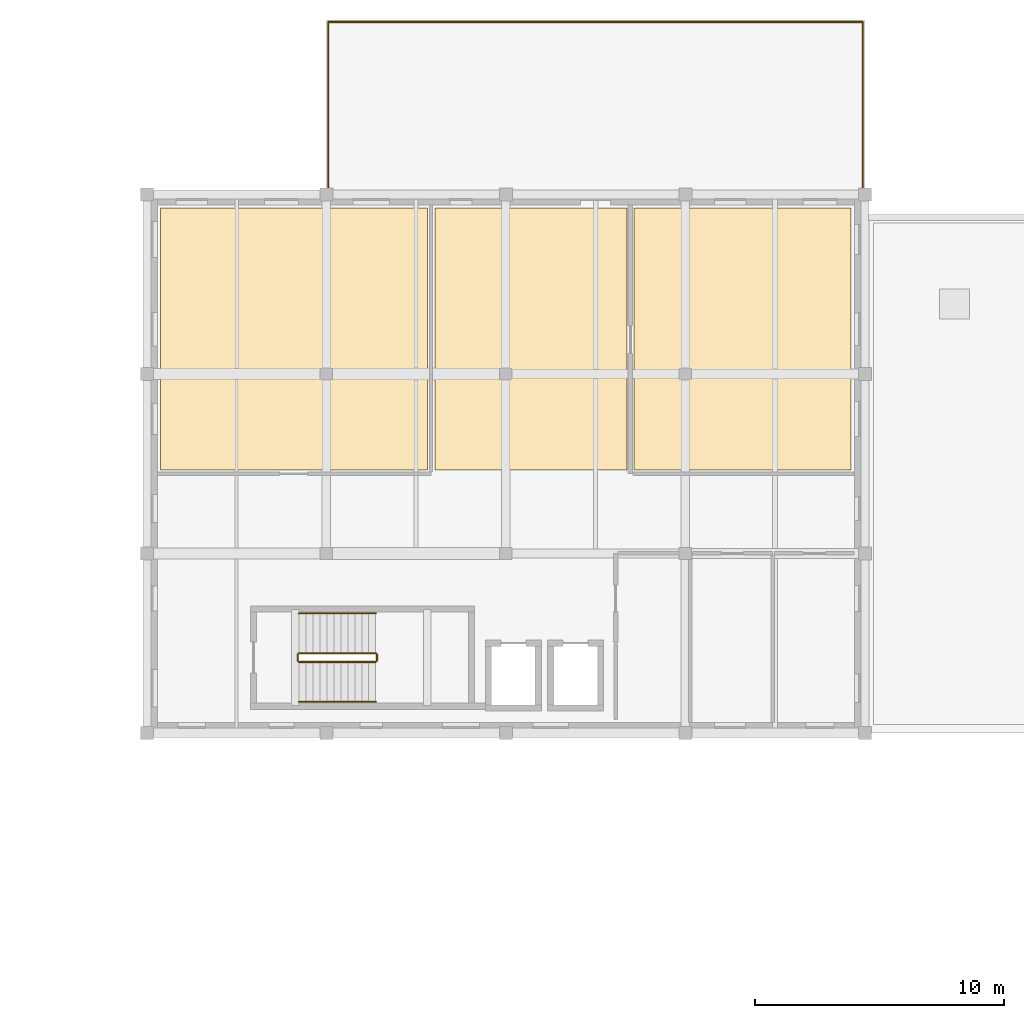
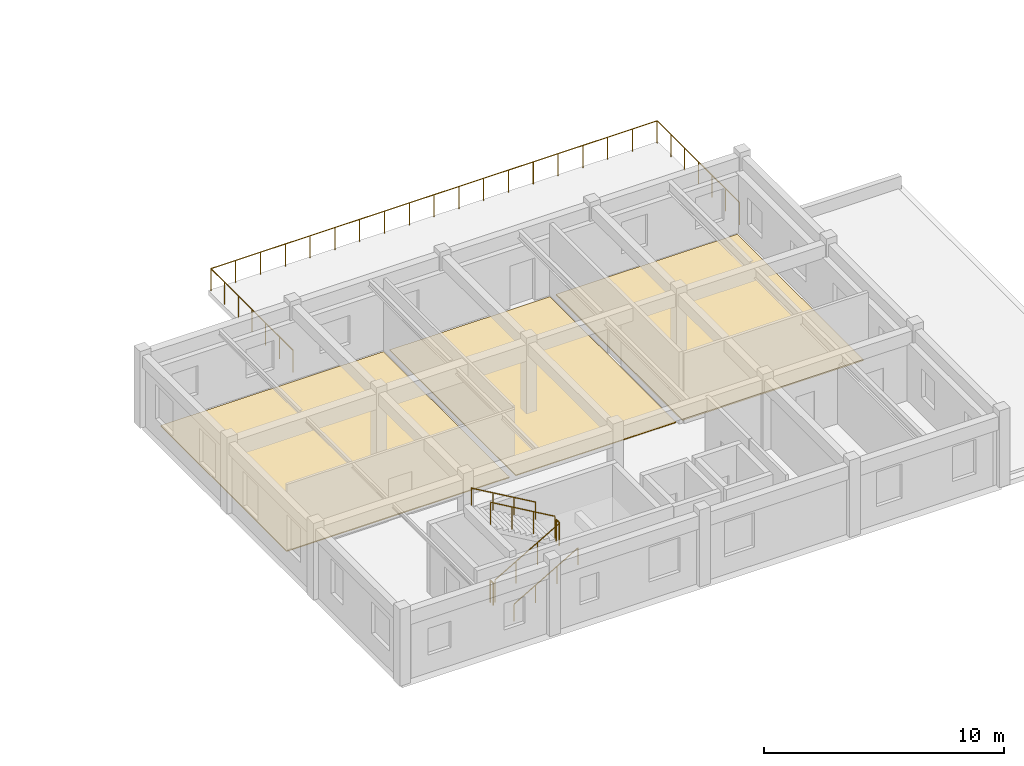
# One storey, part 18 of 20: 9 railings, 3 coverings.
"""IFC4 building model written with IfcOpenShell, lengths in metres."""

from ifc_helpers import new_model, si_unit, direction, frame, origin, origin_2d, place, context, subcontext, project, spatial, polyline, circle, outline, extrude, material, layer, layer_set, type_object, element, save


model = new_model("IFC4")

# Units and contexts
model_context = context("Model", 3, precision=1e-05, world=origin(), true_north=direction((0.0, 1.0)))
body_context = subcontext(model_context, "Body", "Model", "MODEL_VIEW")
ifc_project = project(units=[si_unit("LENGTHUNIT", "METRE"), si_unit("AREAUNIT", "SQUARE_METRE"), si_unit("VOLUMEUNIT", "CUBIC_METRE"), si_unit("PLANEANGLEUNIT", "RADIAN"), si_unit("MASSUNIT", "GRAM", prefix="KILO")], contexts=[model_context])

# Site, building, storey
site_placement = place(None, origin())
site = spatial("IfcSite", under=ifc_project, at=site_placement, CompositionType="ELEMENT")
building_placement = place(site_placement, origin())
building = spatial("IfcBuilding", under=site, at=building_placement, Name="Bramveld Media Centre", CompositionType="ELEMENT")
storey_placement = place(building_placement, frame((0.0, 0.0, 18.0)))
storey = spatial("IfcBuildingStorey", under=building, at=storey_placement, Name="L04", CompositionType="ELEMENT", Elevation=18.0)

# Coverings
ifc_material_1 = material(Name="Floating acoustic screed with smoked European oak studio flooring")
ifc_layer_1 = layer(ifc_material_1, 0.06494140625)
ifc_layer_set_1 = layer_set([ifc_layer_1], Name="Floating acoustic screed with smoked European oak studio flooring")
covering_type_1 = type_object("IfcCoveringType", Name="COV-FLOOR-01", PredefinedType="FLOORING", material=ifc_layer_set_1)
covering_1_placement = place(storey_placement, origin())
element("IfcCovering", 1, at=covering_1_placement, inside=storey, type_object=covering_type_1, Name="Exhibition Media Server & Lighting Studio finish flooring", PredefinedType="FLOORING", context=body_context, shape_type="SweptSolid", body=[
    extrude(outline(polyline([(85.14990234375, 100.949951171875), (93.85009765625, 100.949951171875), (93.85009765625, 111.449951171875), (85.14990234375, 111.449951171875), (85.14990234375, 100.949951171875)])), origin(), (0.0, 0.0, 1.0), 0.06494140625),
])
ifc_material_2 = material(Name="Honed Belgian bluestone (petit granit) public concourse flooring", Category="masonry")
ifc_layer_2 = layer(ifc_material_2, 0.050048828125)
ifc_layer_set_2 = layer_set([ifc_layer_2], Name="Honed Belgian bluestone (petit granit) public concourse flooring")
covering_type_2 = type_object("IfcCoveringType", Name="COV-FLOOR-02", PredefinedType="FLOORING", material=ifc_layer_set_2)
covering_2_placement = place(storey_placement, origin())
element("IfcCovering", 2, at=covering_2_placement, inside=storey, type_object=covering_type_2, Name="Curatorial Research & Design Office finish flooring", PredefinedType="FLOORING", context=body_context, shape_type="SweptSolid", body=[
    extrude(outline(polyline([(66.14990234375, 100.949951171875), (76.85009765625, 100.949951171875), (76.85009765625, 111.449951171875), (66.14990234375, 111.449951171875), (66.14990234375, 100.949951171875)])), origin(), (0.0, 0.0, 1.0), 0.050048828125),
])
ifc_material_3 = material(Name="Anti-static acoustic linoleum editing & vault flooring")
ifc_layer_3 = layer(ifc_material_3, 0.0400390625)
ifc_layer_set_3 = layer_set([ifc_layer_3], Name="Anti-static acoustic linoleum editing & vault flooring")
covering_type_3 = type_object("IfcCoveringType", Name="COV-FLOOR-03", PredefinedType="FLOORING", material=ifc_layer_set_3)
covering_3_placement = place(storey_placement, origin())
element("IfcCovering", 3, at=covering_3_placement, inside=storey, type_object=covering_type_3, Name="North Canal Viewing Circulation Lobby finish flooring", PredefinedType="FLOORING", context=body_context, shape_type="SweptSolid", body=[
    extrude(outline(polyline([(77.14990234375, 100.949951171875), (84.85009765625, 100.949951171875), (84.85009765625, 111.449951171875), (77.14990234375, 111.449951171875), (77.14990234375, 100.949951171875)])), origin(), (0.0, 0.0, 1.0), 0.0400390625),
])

# Railings
ifc_material_4 = material(Name="Painted galvanized steel stairwell guardrail", Category="steel")
railing_type_1 = type_object("IfcRailingType", Name="RAIL-STAIR-GUARD-1150", PredefinedType="GUARDRAIL", material=ifc_material_4)
railing_1_placement = place(storey_placement, frame((71.699951171875, 93.25, 0.16259765625)))
element("IfcRailing", 4, at=railing_1_placement, inside=storey, type_object=railing_type_1, Name="L04 ST-07 stair guard 1", PredefinedType="GUARDRAIL", context=body_context, shape_type="SweptSolid", body=[
    extrude(circle(Radius=0.02392578125, at=origin_2d()), frame((0.0, 0.0, 1.1259765625), z_axis=(0.864920483161, 0.0, 0.501908913857), x_axis=(0.0, 1.0, 0.0)), (0.0, 0.0, 1.0), 3.56103515625),
    extrude(circle(Radius=0.02099609375, at=origin_2d()), origin(), (0.0, 0.0, 1.0), 1.101806640625),
    extrude(circle(Radius=0.02099609375, at=origin_2d()), frame((1.026611328125, 0.0, 0.595703125)), (0.0, 0.0, 1.0), 1.101806640625),
    extrude(circle(Radius=0.02099609375, at=origin_2d()), frame((2.053466796875, 0.0, 1.191650390625)), (0.0, 0.0, 1.0), 1.101806640625),
    extrude(circle(Radius=0.02099609375, at=origin_2d()), frame((3.080078125, 0.0, 1.787353515625)), (0.0, 0.0, 1.0), 1.101806640625),
])
railing_2_placement = place(storey_placement, frame((74.830078125, 93.300048828125, 1.949951171875)))
element("IfcRailing", 5, at=railing_2_placement, inside=storey, type_object=railing_type_1, Name="L04 ST-07 stair guard 2", PredefinedType="GUARDRAIL", context=body_context, shape_type="SweptSolid", body=[
    extrude(circle(Radius=0.02392578125, at=origin_2d()), frame((0.0, 0.0, 1.1259765625), z_axis=(0.0, 1.0, 0.0), x_axis=(-1.0, 0.0, 0.0)), (0.0, 0.0, 1.0), 0.25),
    extrude(circle(Radius=0.02099609375, at=origin_2d()), origin(), (0.0, 0.0, 1.0), 1.101806640625),
    extrude(circle(Radius=0.02099609375, at=origin_2d()), frame((0.0, 0.25, 0.0)), (0.0, 0.0, 1.0), 1.101806640625),
])
railing_3_placement = place(storey_placement, frame((74.780029296875, 93.60009765625, 2.112548828125)))
element("IfcRailing", 6, at=railing_3_placement, inside=storey, type_object=railing_type_1, Name="L04 ST-07 stair guard 3", PredefinedType="GUARDRAIL", context=body_context, shape_type="SweptSolid", body=[
    extrude(circle(Radius=0.02392578125, at=origin_2d()), frame((0.0, 0.0, 1.1259765625), z_axis=(-0.864920483161, 0.0, 0.501908913857), x_axis=(0.0, -1.0, 0.0)), (0.0, 0.0, 1.0), 3.56103515625),
    extrude(circle(Radius=0.02099609375, at=origin_2d()), origin(), (0.0, 0.0, 1.0), 1.101806640625),
    extrude(circle(Radius=0.02099609375, at=origin_2d()), frame((-1.026611328125, 0.0, 0.595703125)), (0.0, 0.0, 1.0), 1.101806640625),
    extrude(circle(Radius=0.02099609375, at=origin_2d()), frame((-2.053466796875, 0.0, 1.191650390625)), (0.0, 0.0, 1.0), 1.101806640625),
    extrude(circle(Radius=0.02099609375, at=origin_2d()), frame((-3.080078125, 0.0, 1.787353515625)), (0.0, 0.0, 1.0), 1.101806640625),
])
railing_4_placement = place(storey_placement, frame((71.64990234375, 93.300048828125, 0.0)))
element("IfcRailing", 7, at=railing_4_placement, inside=storey, type_object=railing_type_1, Name="L04 ST-07 stair guard 4", PredefinedType="GUARDRAIL", context=body_context, shape_type="SweptSolid", body=[
    extrude(circle(Radius=0.02392578125, at=origin_2d()), frame((0.0, 0.0, 1.1259765625), z_axis=(0.0, 1.0, 0.0), x_axis=(-1.0, 0.0, 0.0)), (0.0, 0.0, 1.0), 0.25),
    extrude(circle(Radius=0.02099609375, at=origin_2d()), origin(), (0.0, 0.0, 1.0), 1.101806640625),
    extrude(circle(Radius=0.02099609375, at=origin_2d()), frame((0.0, 0.25, 0.0)), (0.0, 0.0, 1.0), 1.101806640625),
])
ifc_material_5 = material(Name="Brushed stainless steel tubular stair handrail", Category="steel")
railing_type_2 = type_object("IfcRailingType", Name="RAIL-STAIR-HAND-0920", PredefinedType="HANDRAIL", material=ifc_material_5)
railing_5_placement = place(storey_placement, frame((71.699951171875, 91.64990234375, 0.16259765625)))
element("IfcRailing", 8, at=railing_5_placement, inside=storey, type_object=railing_type_2, Name="L04 ST-07 stair handrail 1", PredefinedType="HANDRAIL", context=body_context, shape_type="SweptSolid", body=[
    extrude(circle(Radius=0.02392578125, at=origin_2d()), frame((0.0, 0.0, 0.8759765625), z_axis=(0.864920483161, 0.0, 0.501908913857), x_axis=(0.0, 1.0, 0.0)), (0.0, 0.0, 1.0), 3.56103515625),
    extrude(circle(Radius=0.02099609375, at=origin_2d()), origin(), (0.0, 0.0, 1.0), 0.851806640625),
    extrude(circle(Radius=0.02099609375, at=origin_2d()), frame((1.026611328125, 0.0, 0.595703125)), (0.0, 0.0, 1.0), 0.851806640625),
    extrude(circle(Radius=0.02099609375, at=origin_2d()), frame((2.053466796875, 0.0, 1.191650390625)), (0.0, 0.0, 1.0), 0.851806640625),
    extrude(circle(Radius=0.02099609375, at=origin_2d()), frame((3.080078125, 0.0, 1.787353515625)), (0.0, 0.0, 1.0), 0.851806640625),
])
railing_6_placement = place(storey_placement, frame((74.780029296875, 95.199951171875, 2.112548828125)))
element("IfcRailing", 9, at=railing_6_placement, inside=storey, type_object=railing_type_2, Name="L04 ST-07 stair handrail 2", PredefinedType="HANDRAIL", context=body_context, shape_type="SweptSolid", body=[
    extrude(circle(Radius=0.02392578125, at=origin_2d()), frame((0.0, 0.0, 0.8759765625), z_axis=(-0.864920483161, 0.0, 0.501908913857), x_axis=(0.0, -1.0, 0.0)), (0.0, 0.0, 1.0), 3.56103515625),
    extrude(circle(Radius=0.02099609375, at=origin_2d()), origin(), (0.0, 0.0, 1.0), 0.851806640625),
    extrude(circle(Radius=0.02099609375, at=origin_2d()), frame((-1.026611328125, 0.0, 0.595703125)), (0.0, 0.0, 1.0), 0.851806640625),
    extrude(circle(Radius=0.02099609375, at=origin_2d()), frame((-2.053466796875, 0.0, 1.191650390625)), (0.0, 0.0, 1.0), 0.851806640625),
    extrude(circle(Radius=0.02099609375, at=origin_2d()), frame((-3.080078125, 0.0, 1.787353515625)), (0.0, 0.0, 1.0), 0.851806640625),
])
ifc_material_6 = material(Name="Powder-coated bronze galvanized steel balustrade", Category="steel")
railing_type_3 = type_object("IfcRailingType", Name="RAIL-TERRACE-1150", PredefinedType="GUARDRAIL", material=ifc_material_6)
railing_7_placement = place(storey_placement, frame((72.8798828125, 118.919921875, 0.0)))
element("IfcRailing", 10, at=railing_7_placement, inside=storey, type_object=railing_type_3, Name="North Canal Viewing Deck W guardrail", PredefinedType="GUARDRAIL", context=body_context, shape_type="SweptSolid", body=[
    extrude(circle(Radius=0.02392578125, at=origin_2d()), frame((0.0, 0.0, 1.1259765625), z_axis=(0.0, -1.0, 0.0), x_axis=(1.0, 0.0, 0.0)), (0.0, 0.0, 1.0), 6.83984375),
    extrude(circle(Radius=0.02099609375, at=origin_2d()), origin(), (0.0, 0.0, 1.0), 1.101806640625),
    extrude(circle(Radius=0.02099609375, at=origin_2d()), frame((0.0, -1.139892578125, 0.0)), (0.0, 0.0, 1.0), 1.101806640625),
    extrude(circle(Radius=0.02099609375, at=origin_2d()), frame((0.0, -2.280029296875, 0.0)), (0.0, 0.0, 1.0), 1.101806640625),
    extrude(circle(Radius=0.02099609375, at=origin_2d()), frame((0.0, -3.419921875, 0.0)), (0.0, 0.0, 1.0), 1.101806640625),
    extrude(circle(Radius=0.02099609375, at=origin_2d()), frame((0.0, -4.559814453125, 0.0)), (0.0, 0.0, 1.0), 1.101806640625),
    extrude(circle(Radius=0.02099609375, at=origin_2d()), frame((0.0, -5.699951171875, 0.0)), (0.0, 0.0, 1.0), 1.101806640625),
    extrude(circle(Radius=0.02099609375, at=origin_2d()), frame((0.0, -6.83984375, 0.0)), (0.0, 0.0, 1.0), 1.101806640625),
])
railing_8_placement = place(storey_placement, frame((94.320068359375, 118.919921875, 0.0)))
element("IfcRailing", 11, at=railing_8_placement, inside=storey, type_object=railing_type_3, Name="North Canal Viewing Deck N guardrail", PredefinedType="GUARDRAIL", context=body_context, shape_type="SweptSolid", body=[
    extrude(circle(Radius=0.02392578125, at=origin_2d()), frame((0.0, 0.0, 1.1259765625), z_axis=(-1.0, 0.0, 0.0), x_axis=(0.0, -1.0, 0.0)), (0.0, 0.0, 1.0), 21.440185546875),
    extrude(circle(Radius=0.02099609375, at=origin_2d()), origin(), (0.0, 0.0, 1.0), 1.101806640625),
    extrude(circle(Radius=0.02099609375, at=origin_2d()), frame((-1.191162109375, 0.0, 0.0)), (0.0, 0.0, 1.0), 1.101806640625),
    extrude(circle(Radius=0.02099609375, at=origin_2d()), frame((-2.38232421875, 0.0, 0.0)), (0.0, 0.0, 1.0), 1.101806640625),
    extrude(circle(Radius=0.02099609375, at=origin_2d()), frame((-3.5732421875, 0.0, 0.0)), (0.0, 0.0, 1.0), 1.101806640625),
    extrude(circle(Radius=0.02099609375, at=origin_2d()), frame((-4.764404296875, 0.0, 0.0)), (0.0, 0.0, 1.0), 1.101806640625),
    extrude(circle(Radius=0.02099609375, at=origin_2d()), frame((-5.95556640625, 0.0, 0.0)), (0.0, 0.0, 1.0), 1.101806640625),
    extrude(circle(Radius=0.02099609375, at=origin_2d()), frame((-7.146728515625, 0.0, 0.0)), (0.0, 0.0, 1.0), 1.101806640625),
    extrude(circle(Radius=0.02099609375, at=origin_2d()), frame((-8.337890625, 0.0, 0.0)), (0.0, 0.0, 1.0), 1.101806640625),
    extrude(circle(Radius=0.02099609375, at=origin_2d()), frame((-9.529052734375, 0.0, 0.0)), (0.0, 0.0, 1.0), 1.101806640625),
    extrude(circle(Radius=0.02099609375, at=origin_2d()), frame((-10.72021484375, 0.0, 0.0)), (0.0, 0.0, 1.0), 1.101806640625),
    extrude(circle(Radius=0.02099609375, at=origin_2d()), frame((-11.9111328125, 0.0, 0.0)), (0.0, 0.0, 1.0), 1.101806640625),
    extrude(circle(Radius=0.02099609375, at=origin_2d()), frame((-13.102294921875, 0.0, 0.0)), (0.0, 0.0, 1.0), 1.101806640625),
    extrude(circle(Radius=0.02099609375, at=origin_2d()), frame((-14.29345703125, 0.0, 0.0)), (0.0, 0.0, 1.0), 1.101806640625),
    extrude(circle(Radius=0.02099609375, at=origin_2d()), frame((-15.484619140625, 0.0, 0.0)), (0.0, 0.0, 1.0), 1.101806640625),
    extrude(circle(Radius=0.02099609375, at=origin_2d()), frame((-16.67578125, 0.0, 0.0)), (0.0, 0.0, 1.0), 1.101806640625),
    extrude(circle(Radius=0.02099609375, at=origin_2d()), frame((-17.86669921875, 0.0, 0.0)), (0.0, 0.0, 1.0), 1.101806640625),
    extrude(circle(Radius=0.02099609375, at=origin_2d()), frame((-19.057861328125, 0.0, 0.0)), (0.0, 0.0, 1.0), 1.101806640625),
    extrude(circle(Radius=0.02099609375, at=origin_2d()), frame((-20.2490234375, 0.0, 0.0)), (0.0, 0.0, 1.0), 1.101806640625),
    extrude(circle(Radius=0.02099609375, at=origin_2d()), frame((-21.440185546875, 0.0, 0.0)), (0.0, 0.0, 1.0), 1.101806640625),
])
railing_9_placement = place(storey_placement, frame((94.320068359375, 112.080078125, 0.0)))
element("IfcRailing", 12, at=railing_9_placement, inside=storey, type_object=railing_type_3, Name="North Canal Viewing Deck E guardrail", PredefinedType="GUARDRAIL", context=body_context, shape_type="SweptSolid", body=[
    extrude(circle(Radius=0.02392578125, at=origin_2d()), frame((0.0, 0.0, 1.1259765625), z_axis=(0.0, 1.0, 0.0), x_axis=(-1.0, 0.0, 0.0)), (0.0, 0.0, 1.0), 6.83984375),
    extrude(circle(Radius=0.02099609375, at=origin_2d()), origin(), (0.0, 0.0, 1.0), 1.101806640625),
    extrude(circle(Radius=0.02099609375, at=origin_2d()), frame((0.0, 1.139892578125, 0.0)), (0.0, 0.0, 1.0), 1.101806640625),
    extrude(circle(Radius=0.02099609375, at=origin_2d()), frame((0.0, 2.280029296875, 0.0)), (0.0, 0.0, 1.0), 1.101806640625),
    extrude(circle(Radius=0.02099609375, at=origin_2d()), frame((0.0, 3.419921875, 0.0)), (0.0, 0.0, 1.0), 1.101806640625),
    extrude(circle(Radius=0.02099609375, at=origin_2d()), frame((0.0, 4.559814453125, 0.0)), (0.0, 0.0, 1.0), 1.101806640625),
    extrude(circle(Radius=0.02099609375, at=origin_2d()), frame((0.0, 5.699951171875, 0.0)), (0.0, 0.0, 1.0), 1.101806640625),
    extrude(circle(Radius=0.02099609375, at=origin_2d()), frame((0.0, 6.83984375, 0.0)), (0.0, 0.0, 1.0), 1.101806640625),
])

save(model, "model.ifc")
